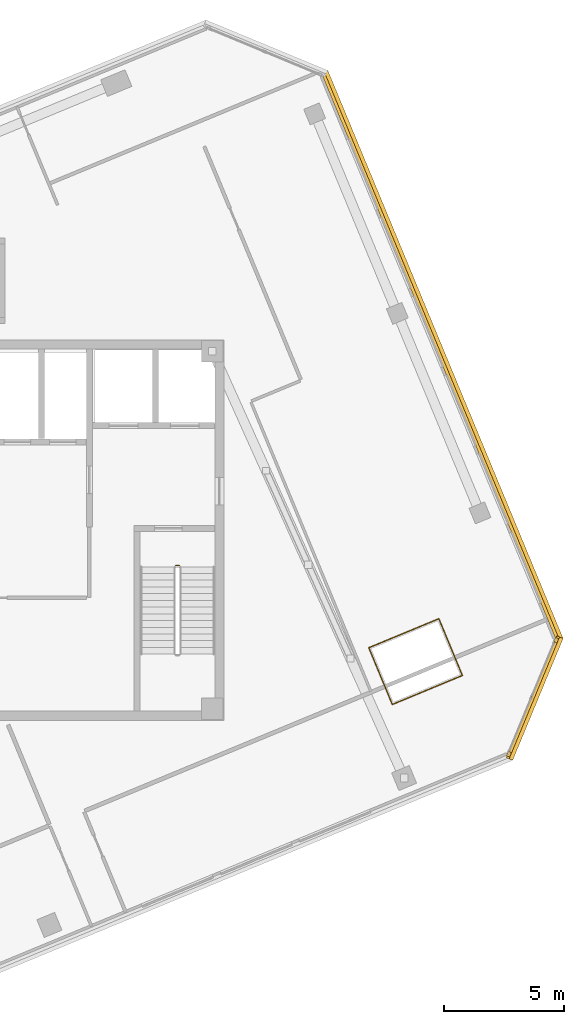
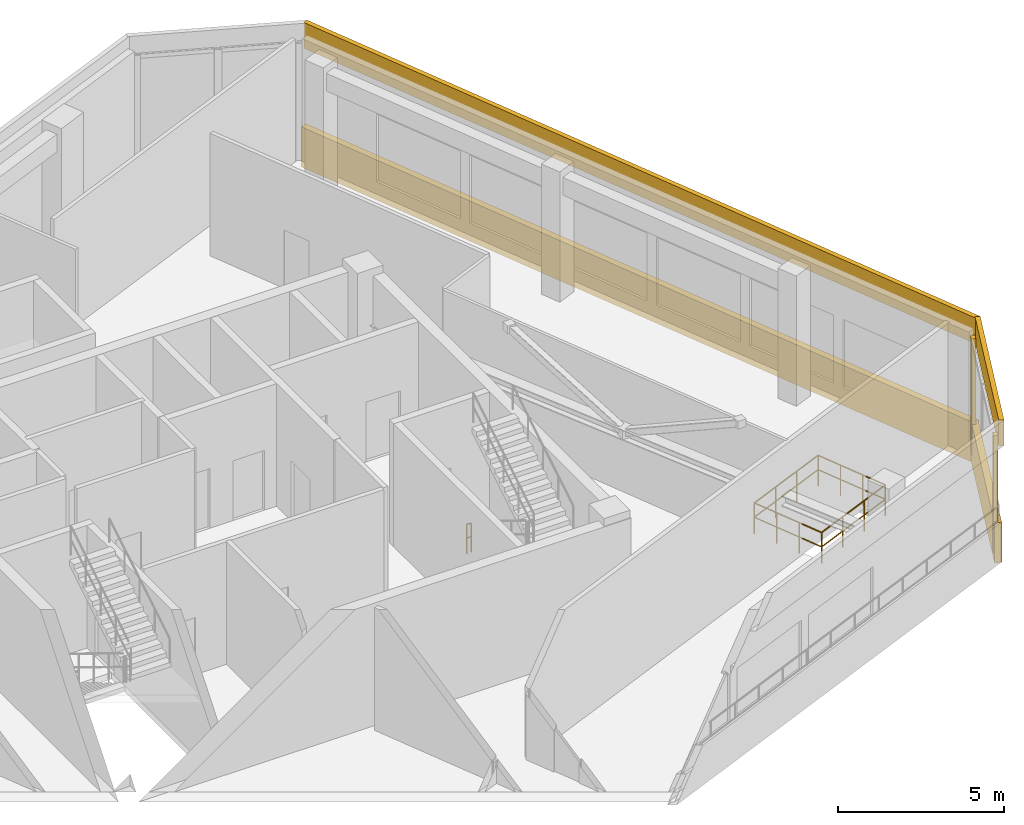
# One storey, part 16 of 17: 6 coverings, 2 railings.
"""IFC4 building model written with IfcOpenShell, lengths in metres."""

from ifc_helpers import new_model, si_unit, direction, frame, origin, origin_2d, place, context, subcontext, project, spatial, rectangle, circle, extrude, source, transform, mapped, material, layer, layer_set, type_object, element, save


model = new_model("IFC4")

# Units and contexts
model_context = context("Model", 3, precision=1e-05, world=origin(), true_north=direction((0.0, 1.0)))
body_context = subcontext(model_context, "Body", "Model", "MODEL_VIEW")
ifc_project = project(units=[si_unit("LENGTHUNIT", "METRE"), si_unit("AREAUNIT", "SQUARE_METRE"), si_unit("VOLUMEUNIT", "CUBIC_METRE"), si_unit("PLANEANGLEUNIT", "RADIAN"), si_unit("MASSUNIT", "GRAM", prefix="KILO")], contexts=[model_context])

# Site, building, storey
site_placement = place(None, origin())
site = spatial("IfcSite", under=ifc_project, at=site_placement, CompositionType="ELEMENT")
building_placement = place(site_placement, origin())
building = spatial("IfcBuilding", under=site, at=building_placement, Name="Torre Montelarca", CompositionType="ELEMENT")
storey_placement = place(building_placement, frame((0.0, 0.0, 355.199951171875)))
storey = spatial("IfcBuildingStorey", under=building, at=storey_placement, Name="L80", CompositionType="ELEMENT", Elevation=355.199951171875)

# Railings
ifc_material_1 = material(Name="Powder-coated steel ASTM A500 Grade C", Category="steel")
railing_type_1 = type_object("IfcRailingType", Name="RL-GUARD-1100", PredefinedType="BALUSTRADE", material=ifc_material_1)
railing_1_placement = place(storey_placement, frame((24.919921875, 30.52001953125, 0.0)))
element("IfcRailing", 1, at=railing_1_placement, inside=storey, type_object=railing_type_1, Name="L80 ST2 stair guard 4", PredefinedType="BALUSTRADE", context=body_context, shape_type="SweptSolid", body=[
    extrude(circle(Radius=0.02392578125, at=origin_2d()), frame((0.0, 0.0, 1.076171875), z_axis=(1.0, 0.0, 0.0), x_axis=(0.0, 1.0, 0.0)), (0.0, 0.0, 1.0), 0.150146484375),
    extrude(circle(Radius=0.02099609375, at=origin_2d()), frame((0.0, 0.0, 0.572021484375), z_axis=(1.0, 0.0, 0.0), x_axis=(0.0, 1.0, 0.0)), (0.0, 0.0, 1.0), 0.150146484375),
    extrude(circle(Radius=0.02099609375, at=origin_2d()), origin(), (0.0, 0.0, 1.0), 1.052001953125),
    extrude(circle(Radius=0.02099609375, at=origin_2d()), frame((0.150146484375, 0.0, 0.0)), (0.0, 0.0, 1.0), 1.052001953125),
])
ifc_material_2 = material(Name="Stainless steel AISI 316 and laminated glass", Category="steel")
railing_type_2 = type_object("IfcRailingType", Name="RL-INT-GUARD-1150", PredefinedType="BALUSTRADE", material=ifc_material_2)
railing_2_placement = place(storey_placement, frame((32.9697265625, 27.095947265625, 0.0)))
element("IfcRailing", 2, at=railing_2_placement, inside=storey, type_object=railing_type_2, Name="L80 Tuned-Mass-Damper Viewing Gallery Well Guard", PredefinedType="BALUSTRADE", context=body_context, shape_type="SweptSolid", body=[
    extrude(circle(Radius=0.02392578125, at=origin_2d()), frame((0.0, 0.0, 1.1259765625), z_axis=(0.382725210515, -0.923862226328, 0.0), x_axis=(0.923862226328, 0.382725210515, 0.0)), (0.0, 0.0, 1.0), 2.559814453125),
    extrude(circle(Radius=0.02099609375, at=origin_2d()), frame((0.0, 0.0, 0.597900390625), z_axis=(0.382725210515, -0.923862226328, 0.0), x_axis=(0.923862226328, 0.382725210515, 0.0)), (0.0, 0.0, 1.0), 2.559814453125),
    extrude(circle(Radius=0.02392578125, at=origin_2d()), frame((0.979736328125, -2.364990234375, 1.1259765625), z_axis=(0.923884060829, 0.382672499857, 0.0), x_axis=(-0.382672499857, 0.923884060829, 0.0)), (0.0, 0.0, 1.0), 3.159912109375),
    extrude(circle(Radius=0.02099609375, at=origin_2d()), frame((0.979736328125, -2.364990234375, 0.597900390625), z_axis=(0.923884060829, 0.382672499857, 0.0), x_axis=(-0.382672499857, 0.923884060829, 0.0)), (0.0, 0.0, 1.0), 3.159912109375),
    extrude(circle(Radius=0.02392578125, at=origin_2d()), frame((3.899169921875, -1.15576171875, 1.1259765625), z_axis=(-0.382691491319, 0.923876194342, 0.0), x_axis=(-0.923876194342, -0.382691491319, 0.0)), (0.0, 0.0, 1.0), 2.56005859375),
    extrude(circle(Radius=0.02099609375, at=origin_2d()), frame((3.899169921875, -1.15576171875, 0.597900390625), z_axis=(-0.382691491319, 0.923876194342, 0.0), x_axis=(-0.923876194342, -0.382691491319, 0.0)), (0.0, 0.0, 1.0), 2.56005859375),
    extrude(circle(Radius=0.02392578125, at=origin_2d()), frame((2.91943359375, 1.20947265625, 1.1259765625), z_axis=(-0.923856744129, -0.382738443754, 0.0), x_axis=(0.382738443754, -0.923856744129, 0.0)), (0.0, 0.0, 1.0), 3.16015625),
    extrude(circle(Radius=0.02099609375, at=origin_2d()), frame((2.91943359375, 1.20947265625, 0.597900390625), z_axis=(-0.923856744129, -0.382738443754, 0.0), x_axis=(0.382738443754, -0.923856744129, 0.0)), (0.0, 0.0, 1.0), 3.16015625),
    extrude(circle(Radius=0.02099609375, at=origin_2d()), origin(), (0.0, 0.0, 1.0), 1.101806640625),
    extrude(circle(Radius=0.02099609375, at=origin_2d()), frame((0.32666015625, -0.788330078125, 0.0)), (0.0, 0.0, 1.0), 1.101806640625),
    extrude(circle(Radius=0.02099609375, at=origin_2d()), frame((0.653076171875, -1.57666015625, 0.0)), (0.0, 0.0, 1.0), 1.101806640625),
    extrude(circle(Radius=0.02099609375, at=origin_2d()), frame((0.979736328125, -2.364990234375, 0.0)), (0.0, 0.0, 1.0), 1.101806640625),
    extrude(circle(Radius=0.02099609375, at=origin_2d()), frame((1.952880859375, -1.9619140625, 0.0)), (0.0, 0.0, 1.0), 1.101806640625),
    extrude(circle(Radius=0.02099609375, at=origin_2d()), frame((2.926025390625, -1.558837890625, 0.0)), (0.0, 0.0, 1.0), 1.101806640625),
    extrude(circle(Radius=0.02099609375, at=origin_2d()), frame((3.899169921875, -1.15576171875, 0.0)), (0.0, 0.0, 1.0), 1.101806640625),
    extrude(circle(Radius=0.02099609375, at=origin_2d()), frame((3.572509765625, -0.367431640625, 0.0)), (0.0, 0.0, 1.0), 1.101806640625),
    extrude(circle(Radius=0.02099609375, at=origin_2d()), frame((3.24609375, 0.421142578125, 0.0)), (0.0, 0.0, 1.0), 1.101806640625),
    extrude(circle(Radius=0.02099609375, at=origin_2d()), frame((2.91943359375, 1.20947265625, 0.0)), (0.0, 0.0, 1.0), 1.101806640625),
    extrude(circle(Radius=0.02099609375, at=origin_2d()), frame((1.9462890625, 0.806396484375, 0.0)), (0.0, 0.0, 1.0), 1.101806640625),
    extrude(circle(Radius=0.02099609375, at=origin_2d()), frame((0.97314453125, 0.403076171875, 0.0)), (0.0, 0.0, 1.0), 1.101806640625),
])

# Coverings
ifc_material_3 = material(Name="Bush-hammered warm white precast concrete C45/55", Category="concrete")
ifc_layer = layer(ifc_material_3, 0.139892578125, Name="Bush-hammered warm white precast concrete C45/55", Category="concrete")
ifc_layer_set = layer_set([ifc_layer], Name="Bush-hammered warm white precast concrete C45/55")
covering_type = type_object("IfcCoveringType", Name="COV-TRAY-CLAD", PredefinedType="CLADDING", material=ifc_layer_set)
shared_shape_1 = source(origin(), body_context, "Body", "SweptSolid", [
    extrude(rectangle(XDim=0.199951171875, YDim=0.139892578125, at=origin_2d()), origin(), (0.0, 0.0, 1.0), 4.320068359375),
])
for number, where, z_axis, x_axis, name in (
    (3, (38.810546875, 22.658935546875, 0.0), (0.0, 0.0, 1.0), (0.382689882252, 0.923876860854, 0.0), "L80 Architectural Column Pier Cladding E07-1"),
    (4, (40.778564453125, 27.409912109375, 0.0), (0.0, 0.0, 1.0), (0.382689882252, 0.923876860854, 0.0), "L80 Architectural Column Pier Cladding E07-2"),
):
    element("IfcCovering", number, at=place(storey_placement, frame(where, z_axis=z_axis, x_axis=x_axis)), inside=storey, type_object=covering_type, Name=name, PredefinedType="CLADDING", context=body_context, shape_type="MappedRepresentation", body=[
        mapped(shared_shape_1, transform((0.0, 0.0, 0.0), scale=1.0)),
    ])
shared_shape_2 = source(origin(), body_context, "Body", "SweptSolid", [
    extrude(rectangle(XDim=5.494140625, YDim=0.219970703125, at=origin_2d()), origin(), (0.0, 0.0, 1.0), 1.47998046875),
])
covering_1_placement = place(storey_placement, frame((39.85009765625, 25.011474609375, -0.31982421875), z_axis=(0.0, 0.0, 1.0), x_axis=(0.382688269782, 0.923877528773, 0.0)))
element("IfcCovering", 5, at=covering_1_placement, inside=storey, type_object=covering_type, Name="L80 Architectural White Spandrel Tray Band DMPRNG-07", PredefinedType="CLADDING", context=body_context, shape_type="MappedRepresentation", body=[
    mapped(shared_shape_2, transform((0.0, 0.0, 0.0), scale=1.0)),
])
shared_shape_3 = source(origin(), body_context, "Body", "SweptSolid", [
    extrude(rectangle(XDim=25.6201171875, YDim=0.219970703125, at=origin_2d()), origin(), (0.0, 0.0, 1.0), 1.47998046875),
])
covering_2_placement = place(storey_placement, frame((35.9990234375, 39.25048828125, -0.31982421875), z_axis=(0.0, 0.0, 1.0), x_axis=(-0.382686657311, 0.923878196688, 0.0)))
element("IfcCovering", 6, at=covering_2_placement, inside=storey, type_object=covering_type, Name="L80 Architectural White Spandrel Tray Band DMPRNG-08", PredefinedType="CLADDING", context=body_context, shape_type="MappedRepresentation", body=[
    mapped(shared_shape_3, transform((0.0, 0.0, 0.0), scale=1.0)),
])
shared_shape_4 = source(origin(), body_context, "Body", "SweptSolid", [
    extrude(rectangle(XDim=5.494140625, YDim=0.159912109375, at=origin_2d()), origin(), (0.0, 0.0, 1.0), 0.949951171875),
])
covering_3_placement = place(storey_placement, frame((39.9423828125, 24.97314453125, 3.98486328125), z_axis=(0.0, 0.0, 1.0), x_axis=(0.382688269782, 0.923877528773, 0.0)))
element("IfcCovering", 7, at=covering_3_placement, inside=storey, type_object=covering_type, Name="L80 Architectural White Spandrel Tray Band DMPTOP-07", PredefinedType="CLADDING", context=body_context, shape_type="MappedRepresentation", body=[
    mapped(shared_shape_4, transform((0.0, 0.0, 0.0), scale=1.0)),
])
shared_shape_5 = source(origin(), body_context, "Body", "SweptSolid", [
    extrude(rectangle(XDim=25.6201171875, YDim=0.159912109375, at=origin_2d()), origin(), (0.0, 0.0, 1.0), 0.949951171875),
])
covering_4_placement = place(storey_placement, frame((36.09130859375, 39.288818359375, 3.98486328125), z_axis=(0.0, 0.0, 1.0), x_axis=(-0.382686657311, 0.923878196688, 0.0)))
element("IfcCovering", 8, at=covering_4_placement, inside=storey, type_object=covering_type, Name="L80 Architectural White Spandrel Tray Band DMPTOP-08", PredefinedType="CLADDING", context=body_context, shape_type="MappedRepresentation", body=[
    mapped(shared_shape_5, transform((0.0, 0.0, 0.0), scale=1.0)),
])

save(model, "model.ifc")
